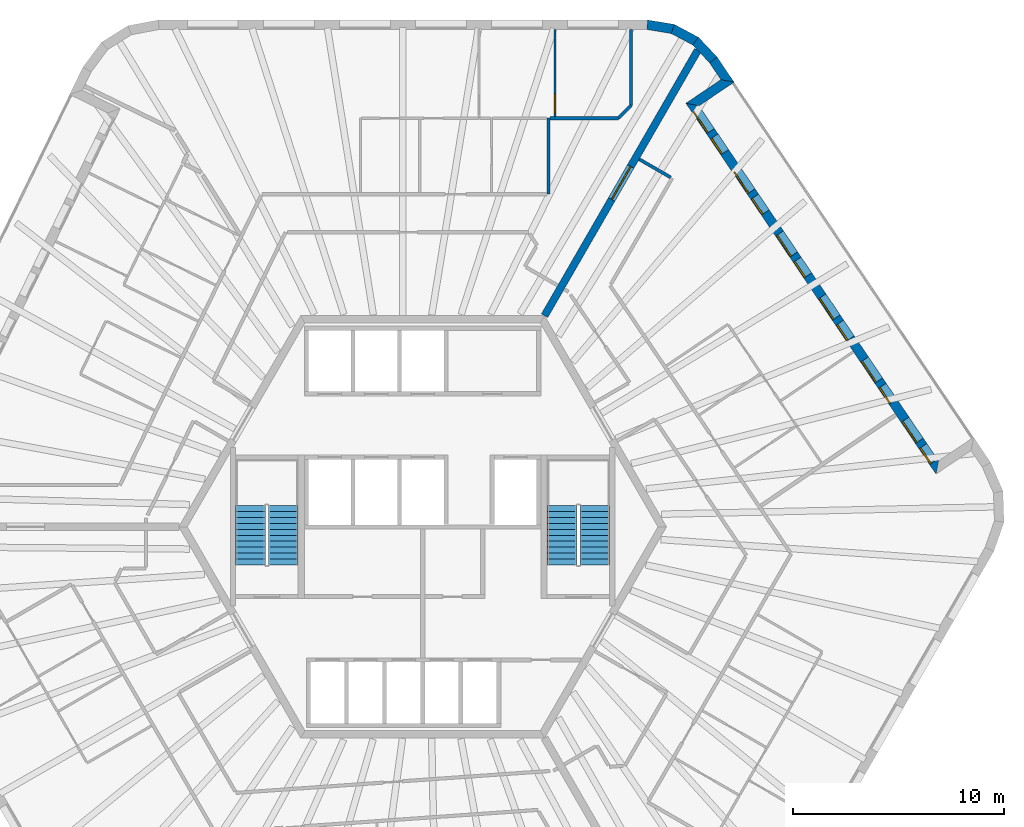
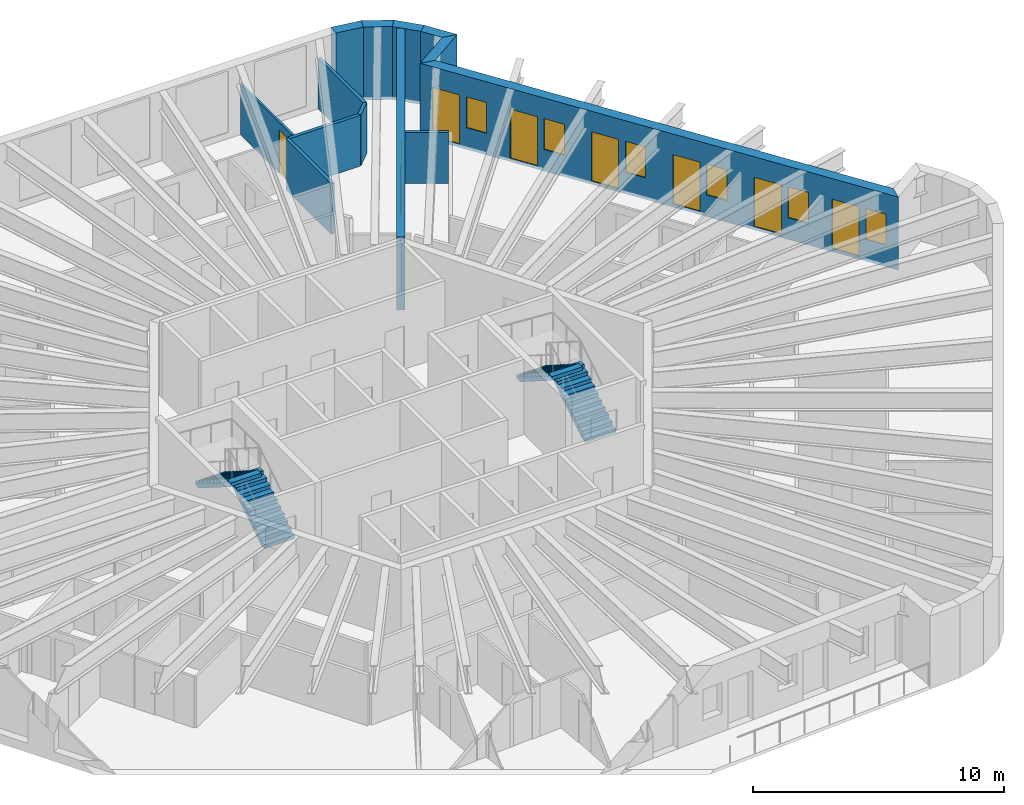
# One storey, part 10 of 11: 13 walls, 8 doors, 6 windows, 4 stair flights, 14 openings, 2 elements without a shape of their own.
"""IFC4 building model written with IfcOpenShell, lengths in metres."""

from ifc_helpers import new_model, si_unit, direction, frame, frame_2d, origin, place, context, subcontext, project, spatial, polyline, rectangle, outline, extrude, material, layer, layer_set, type_object, element, fill, aggregate, save


model = new_model("IFC4")

# Units and contexts
model_context = context("Model", 3, precision=1e-05, world=origin(), true_north=direction((0.0, 1.0)))
body_context = subcontext(model_context, "Body", "Model", "MODEL_VIEW")
ifc_project = project(units=[si_unit("LENGTHUNIT", "METRE"), si_unit("AREAUNIT", "SQUARE_METRE"), si_unit("VOLUMEUNIT", "CUBIC_METRE"), si_unit("PLANEANGLEUNIT", "RADIAN"), si_unit("MASSUNIT", "GRAM", prefix="KILO")], contexts=[model_context])

# Site, building, storey
site_placement = place(None, origin())
site = spatial("IfcSite", under=ifc_project, at=site_placement, CompositionType="ELEMENT")
building_placement = place(site_placement, origin())
building = spatial("IfcBuilding", under=site, at=building_placement, Name="Tarnside Tower", CompositionType="ELEMENT")
storey_placement = place(building_placement, frame((0.0, 0.0, 372.89990234375)))
storey = spatial("IfcBuildingStorey", under=building, at=storey_placement, Name="L90", CompositionType="ELEMENT", Elevation=372.89990234375)

# Wall, opening, door
ifc_material_1 = material(Name="Concrete C50/60", Category="concrete")
ifc_layer_1 = layer(ifc_material_1, 0.35009765625)
ifc_layer_set_1 = layer_set([ifc_layer_1], Name="Core wall Z4 350 C50/60")
wall_type_1 = type_object("IfcWallType", Name="Core wall Z4 350 C50/60", PredefinedType="SHEAR", material=ifc_layer_set_1)
wall_1_placement = place(storey_placement, frame((5.7734375, 10.0, -0.14990234375), z_axis=(0.0, 0.0, 1.0), x_axis=(0.500007911273, 0.866020836161, 0.0)))
wall_1 = element("IfcWall", 1, at=wall_1_placement, inside=storey, type_object=wall_type_1, Name="L90 spine wall 1", PredefinedType="SHEAR", context=body_context, shape_type="SweptSolid", body=[
    extrude(rectangle(XDim=14.510498046875, YDim=0.35009765625, at=frame_2d((7.25537109375, 0.0))), origin(), (0.0, 0.0, 1.0), 3.550048828125),
])
opening_1_placement = place(wall_1_placement, frame((6.355224609375, 0.0, 0.14990234375)))
opening_1 = element("IfcOpeningElement", 2, at=opening_1_placement, cuts=wall_1, Name="Opening CD-SPN", PredefinedType="OPENING", context=body_context, shape_type="SweptSolid", body=[
    extrude(rectangle(XDim=1.800048828125, YDim=2.39990234375, at=frame_2d((0.89990234375, 1.199951171875))), frame((0.0, 0.18505859375, 0.0), z_axis=(0.0, -1.0, 0.0), x_axis=(1.0, 0.0, 0.0)), (0.0, 0.0, 1.0), 0.3701171875),
])
ifc_material_2 = material(Name="Steel fire door", Category="steel")
door_type_1 = type_object("IfcDoorType", Name="Spine passage double door FD60 1800x2400", OperationType="NOTDEFINED", PredefinedType="DOOR", material=ifc_material_2)
door_1_placement = place(opening_1_placement, origin())
door_1 = element("IfcDoor", 3, at=door_1_placement, inside=storey, type_object=door_type_1, Name="L90 spine passage door 1", OperationType="DOUBLE_DOOR_SINGLE_SWING", OverallHeight=2.39990234375, OverallWidth=1.800048828125, PredefinedType="DOOR", context=body_context, shape_type="SweptSolid", body=[
    extrude(rectangle(XDim=1.800048828125, YDim=2.39990234375, at=frame_2d((0.89990234375, 1.199951171875))), frame((0.0, 0.02490234375, 0.0), z_axis=(0.0, -1.0, 0.0), x_axis=(1.0, 0.0, 0.0)), (0.0, 0.0, 1.0), 0.050048828125),
])
fill(opening_1, door_1)

# Walls
ifc_material_3 = material(Name="Gypsum board partition on steel studs", Category="steel")
ifc_layer_2 = layer(ifc_material_3, 0.14990234375)
ifc_layer_set_2 = layer_set([ifc_layer_2], Name="Corridor wall 150 EI 60")
wall_type_2 = type_object("IfcWallType", Name="Corridor wall 150 EI 60", PredefinedType="PARTITIONING", material=ifc_layer_set_2)
wall_2_placement = place(storey_placement, frame((5.9619140625, 19.35009765625, 0.0), z_axis=(0.0, 0.0, 1.0), x_axis=(0.0, -1.0, 0.0)))
element("IfcWall", 4, at=wall_2_placement, inside=storey, type_object=wall_type_2, Name="Corridor wall 29004", PredefinedType="PARTITIONING", context=body_context, shape_type="SweptSolid", body=[
    extrude(rectangle(XDim=3.60009765625, YDim=0.14990234375, at=frame_2d((1.800048828125, 0.0))), origin(), (0.0, 0.0, 1.0), 2.47021484375),
])
wall_3_placement = place(storey_placement, frame((9.268310546875, 19.35009765625, 0.0), z_axis=(0.0, 0.0, 1.0), x_axis=(-1.0, 0.0, 0.0)))
element("IfcWall", 5, at=wall_3_placement, inside=storey, type_object=wall_type_2, Name="Corridor wall 29006", PredefinedType="PARTITIONING", context=body_context, shape_type="SweptSolid", body=[
    extrude(rectangle(XDim=3.234375, YDim=0.14990234375, at=frame_2d((1.6171875, 0.0))), origin(), (0.0, 0.0, 1.0), 2.47021484375),
])
wall_4_placement = place(storey_placement, frame((9.8681640625, 19.94970703125, 0.0), z_axis=(0.0, 0.0, 1.0), x_axis=(-0.707250750801, -0.706962782254, 0.0)))
element("IfcWall", 6, at=wall_4_placement, inside=storey, type_object=wall_type_2, Name="Corridor wall 29007", PredefinedType="PARTITIONING", context=body_context, shape_type="SweptSolid", body=[
    extrude(rectangle(XDim=0.847900390625, YDim=0.14990234375, at=frame_2d((0.423828125, 0.0))), origin(), (0.0, 0.0, 1.0), 2.47021484375),
])
wall_5_placement = place(storey_placement, frame((9.868408203125, 23.550048828125, 0.0), z_axis=(0.0, 0.0, 1.0), x_axis=(0.0, -1.0, 0.0)))
element("IfcWall", 7, at=wall_5_placement, inside=storey, type_object=wall_type_2, Name="Corridor wall 29008", PredefinedType="PARTITIONING", context=body_context, shape_type="SweptSolid", body=[
    extrude(rectangle(XDim=3.599853515625, YDim=0.14990234375, at=frame_2d((1.7998046875, 0.0))), origin(), (0.0, 0.0, 1.0), 2.47021484375),
])
wall_6_placement = place(storey_placement, frame((11.74658203125, 16.545654296875, 0.0), z_axis=(0.0, 0.0, 1.0), x_axis=(-0.866013532718, 0.500020560727, 0.0)))
element("IfcWall", 8, at=wall_6_placement, inside=storey, type_object=wall_type_2, Name="Corridor wall 29064", PredefinedType="PARTITIONING", context=body_context, shape_type="SweptSolid", body=[
    extrude(rectangle(XDim=1.72509765625, YDim=0.14990234375, at=frame_2d((0.862548828125, 0.0))), origin(), (0.0, 0.0, 1.0), 2.47021484375),
])

# Wall, openings, doors, windows
ifc_material_4 = material(Name="Dark zinc cladding")
ifc_layer_3 = layer(ifc_material_4, 0.10205078125)
ifc_material_5 = material(Name="Concrete C60/75 precast", Category="concrete")
ifc_layer_4 = layer(ifc_material_5, 0.248046875)
ifc_material_6 = material(Name="Mineral wool insulation")
ifc_layer_5 = layer(ifc_material_6, 0.10009765625)
ifc_layer_set_3 = layer_set([ifc_layer_3, ifc_layer_4, ifc_layer_5], Name="Loggia wall 450 zinc faced")
wall_type_3 = type_object("IfcWallType", Name="Loggia wall 450 zinc faced", PredefinedType="SOLIDWALL", material=ifc_layer_set_3)
wall_7_placement = place(storey_placement, frame((24.36962890625, 2.810546875, -0.14990234375), z_axis=(0.0, 0.0, 1.0), x_axis=(-0.559187034749, 0.829041531027, 0.0)))
wall_7 = element("IfcWall", 9, at=wall_7_placement, inside=storey, type_object=wall_type_3, Name="Tube wall L90 F6 back 30", PredefinedType="SOLIDWALL", context=body_context, shape_type="SweptSolid", body=[
    extrude(outline(polyline([(0.224853515625, -0.22509765625), (20.50634765625, -0.22509765625), (20.95654296875, 0.22509765625), (-0.224853515625, 0.22509765625), (0.224853515625, -0.22509765625)])), origin(), (0.0, 0.0, 1.0), 3.550048828125),
])
opening_2_placement = place(wall_7_placement, frame((0.324951171875, 0.0, 1.050048828125)))
opening_2 = element("IfcOpeningElement", 10, at=opening_2_placement, cuts=wall_7, Name="Opening WL450", PredefinedType="OPENING", context=body_context, shape_type="SweptSolid", body=[
    extrude(rectangle(XDim=0.89990234375, YDim=1.5, at=frame_2d((0.449951171875, 0.75))), frame((0.0, 0.23486328125, 0.0), z_axis=(0.0, -1.0, 0.0), x_axis=(1.0, 0.0, 0.0)), (0.0, 0.0, 1.0), 0.469970703125),
])
opening_3_placement = place(wall_7_placement, frame((1.52490234375, 0.0, 0.14990234375)))
opening_3 = element("IfcOpeningElement", 11, at=opening_3_placement, cuts=wall_7, Name="Opening DB450", PredefinedType="OPENING", context=body_context, shape_type="SweptSolid", body=[
    extrude(rectangle(XDim=1.199951171875, YDim=2.39990234375, at=frame_2d((0.60009765625, 1.199951171875))), frame((0.0, 0.23486328125, 0.0), z_axis=(0.0, -1.0, 0.0), x_axis=(1.0, 0.0, 0.0)), (0.0, 0.0, 1.0), 0.469970703125),
])
opening_4_placement = place(wall_7_placement, frame((3.765869140625, 0.0, 1.050048828125)))
opening_4 = element("IfcOpeningElement", 12, at=opening_4_placement, cuts=wall_7, Name="Opening WL450", PredefinedType="OPENING", context=body_context, shape_type="SweptSolid", body=[
    extrude(rectangle(XDim=0.89990234375, YDim=1.5, at=frame_2d((0.449951171875, 0.75))), frame((0.0, 0.23486328125, 0.0), z_axis=(0.0, -1.0, 0.0), x_axis=(1.0, 0.0, 0.0)), (0.0, 0.0, 1.0), 0.469970703125),
])
opening_5_placement = place(wall_7_placement, frame((4.9658203125, 0.0, 0.14990234375)))
opening_5 = element("IfcOpeningElement", 13, at=opening_5_placement, cuts=wall_7, Name="Opening DB450", PredefinedType="OPENING", context=body_context, shape_type="SweptSolid", body=[
    extrude(rectangle(XDim=1.199951171875, YDim=2.39990234375, at=frame_2d((0.60009765625, 1.199951171875))), frame((0.0, 0.23486328125, 0.0), z_axis=(0.0, -1.0, 0.0), x_axis=(1.0, 0.0, 0.0)), (0.0, 0.0, 1.0), 0.469970703125),
])
opening_6_placement = place(wall_7_placement, frame((7.36572265625, 0.0, 1.050048828125)))
opening_6 = element("IfcOpeningElement", 14, at=opening_6_placement, cuts=wall_7, Name="Opening WL450", PredefinedType="OPENING", context=body_context, shape_type="SweptSolid", body=[
    extrude(rectangle(XDim=0.89990234375, YDim=1.5, at=frame_2d((0.449951171875, 0.75))), frame((0.0, 0.23486328125, 0.0), z_axis=(0.0, -1.0, 0.0), x_axis=(1.0, 0.0, 0.0)), (0.0, 0.0, 1.0), 0.469970703125),
])
opening_7_placement = place(wall_7_placement, frame((8.56591796875, 0.0, 0.14990234375)))
opening_7 = element("IfcOpeningElement", 15, at=opening_7_placement, cuts=wall_7, Name="Opening DB450", PredefinedType="OPENING", context=body_context, shape_type="SweptSolid", body=[
    extrude(rectangle(XDim=1.199951171875, YDim=2.39990234375, at=frame_2d((0.60009765625, 1.199951171875))), frame((0.0, 0.23486328125, 0.0), z_axis=(0.0, -1.0, 0.0), x_axis=(1.0, 0.0, 0.0)), (0.0, 0.0, 1.0), 0.469970703125),
])
opening_8_placement = place(wall_7_placement, frame((10.9658203125, 0.0, 1.050048828125)))
opening_8 = element("IfcOpeningElement", 16, at=opening_8_placement, cuts=wall_7, Name="Opening WL450", PredefinedType="OPENING", context=body_context, shape_type="SweptSolid", body=[
    extrude(rectangle(XDim=0.89990234375, YDim=1.5, at=frame_2d((0.449951171875, 0.75))), frame((0.0, 0.23486328125, 0.0), z_axis=(0.0, -1.0, 0.0), x_axis=(1.0, 0.0, 0.0)), (0.0, 0.0, 1.0), 0.469970703125),
])
opening_9_placement = place(wall_7_placement, frame((12.165771484375, 0.0, 0.14990234375)))
opening_9 = element("IfcOpeningElement", 17, at=opening_9_placement, cuts=wall_7, Name="Opening DB450", PredefinedType="OPENING", context=body_context, shape_type="SweptSolid", body=[
    extrude(rectangle(XDim=1.199951171875, YDim=2.39990234375, at=frame_2d((0.60009765625, 1.199951171875))), frame((0.0, 0.23486328125, 0.0), z_axis=(0.0, -1.0, 0.0), x_axis=(1.0, 0.0, 0.0)), (0.0, 0.0, 1.0), 0.469970703125),
])
opening_10_placement = place(wall_7_placement, frame((14.56591796875, 0.0, 1.050048828125)))
opening_10 = element("IfcOpeningElement", 18, at=opening_10_placement, cuts=wall_7, Name="Opening WL450", PredefinedType="OPENING", context=body_context, shape_type="SweptSolid", body=[
    extrude(rectangle(XDim=0.89990234375, YDim=1.5, at=frame_2d((0.449951171875, 0.75))), frame((0.0, 0.23486328125, 0.0), z_axis=(0.0, -1.0, 0.0), x_axis=(1.0, 0.0, 0.0)), (0.0, 0.0, 1.0), 0.469970703125),
])
opening_11_placement = place(wall_7_placement, frame((15.765869140625, 0.0, 0.14990234375)))
opening_11 = element("IfcOpeningElement", 19, at=opening_11_placement, cuts=wall_7, Name="Opening DB450", PredefinedType="OPENING", context=body_context, shape_type="SweptSolid", body=[
    extrude(rectangle(XDim=1.199951171875, YDim=2.39990234375, at=frame_2d((0.60009765625, 1.199951171875))), frame((0.0, 0.23486328125, 0.0), z_axis=(0.0, -1.0, 0.0), x_axis=(1.0, 0.0, 0.0)), (0.0, 0.0, 1.0), 0.469970703125),
])
opening_12_placement = place(wall_7_placement, frame((18.006591796875, 0.0, 1.050048828125)))
opening_12 = element("IfcOpeningElement", 20, at=opening_12_placement, cuts=wall_7, Name="Opening WL450", PredefinedType="OPENING", context=body_context, shape_type="SweptSolid", body=[
    extrude(rectangle(XDim=0.89990234375, YDim=1.5, at=frame_2d((0.449951171875, 0.75))), frame((0.0, 0.23486328125, 0.0), z_axis=(0.0, -1.0, 0.0), x_axis=(1.0, 0.0, 0.0)), (0.0, 0.0, 1.0), 0.469970703125),
])
opening_13_placement = place(wall_7_placement, frame((19.20654296875, 0.0, 0.14990234375)))
opening_13 = element("IfcOpeningElement", 21, at=opening_13_placement, cuts=wall_7, Name="Opening DB450", PredefinedType="OPENING", context=body_context, shape_type="SweptSolid", body=[
    extrude(rectangle(XDim=1.199951171875, YDim=2.39990234375, at=frame_2d((0.60009765625, 1.199951171875))), frame((0.0, 0.23486328125, 0.0), z_axis=(0.0, -1.0, 0.0), x_axis=(1.0, 0.0, 0.0)), (0.0, 0.0, 1.0), 0.469970703125),
])
ifc_material_7 = material(Name="Aluminium-framed double glazing", Category="aluminium")
door_type_2 = type_object("IfcDoorType", Name="Balcony sliding door 1200 x 2400 in 450 wall", OperationType="SLIDING_TO_LEFT", PredefinedType="DOOR", material=ifc_material_7)
door_2_placement = place(opening_3_placement, frame((0.0, 0.150146484375, 0.0)))
door_2 = element("IfcDoor", 22, at=door_2_placement, inside=storey, type_object=door_type_2, Name="E.BD.L90.F6.00", OperationType="SLIDING_TO_LEFT", OverallHeight=2.39990234375, OverallWidth=1.199951171875, PredefinedType="DOOR", context=body_context, shape_type="SweptSolid", body=[
    extrude(rectangle(XDim=1.199951171875, YDim=2.39990234375, at=frame_2d((0.60009765625, 1.199951171875))), frame((0.0, 0.02490234375, 0.0), z_axis=(0.0, -1.0, 0.0), x_axis=(1.0, 0.0, 0.0)), (0.0, 0.0, 1.0), 0.050048828125),
])
fill(opening_3, door_2)
door_3_placement = place(opening_5_placement, frame((0.0, 0.150146484375, 0.0)))
door_3 = element("IfcDoor", 23, at=door_3_placement, inside=storey, type_object=door_type_2, Name="E.BD.L90.F6.01", OperationType="SLIDING_TO_LEFT", OverallHeight=2.39990234375, OverallWidth=1.199951171875, PredefinedType="DOOR", context=body_context, shape_type="SweptSolid", body=[
    extrude(rectangle(XDim=1.199951171875, YDim=2.39990234375, at=frame_2d((0.60009765625, 1.199951171875))), frame((0.0, 0.02490234375, 0.0), z_axis=(0.0, -1.0, 0.0), x_axis=(1.0, 0.0, 0.0)), (0.0, 0.0, 1.0), 0.050048828125),
])
fill(opening_5, door_3)
door_4_placement = place(opening_7_placement, frame((0.0, 0.150146484375, 0.0)))
door_4 = element("IfcDoor", 24, at=door_4_placement, inside=storey, type_object=door_type_2, Name="E.BD.L90.F6.02", OperationType="SLIDING_TO_LEFT", OverallHeight=2.39990234375, OverallWidth=1.199951171875, PredefinedType="DOOR", context=body_context, shape_type="SweptSolid", body=[
    extrude(rectangle(XDim=1.199951171875, YDim=2.39990234375, at=frame_2d((0.60009765625, 1.199951171875))), frame((0.0, 0.02490234375, 0.0), z_axis=(0.0, -1.0, 0.0), x_axis=(1.0, 0.0, 0.0)), (0.0, 0.0, 1.0), 0.050048828125),
])
fill(opening_7, door_4)
door_5_placement = place(opening_9_placement, frame((0.0, 0.150146484375, 0.0)))
door_5 = element("IfcDoor", 25, at=door_5_placement, inside=storey, type_object=door_type_2, Name="E.BD.L90.F6.03", OperationType="SLIDING_TO_LEFT", OverallHeight=2.39990234375, OverallWidth=1.199951171875, PredefinedType="DOOR", context=body_context, shape_type="SweptSolid", body=[
    extrude(rectangle(XDim=1.199951171875, YDim=2.39990234375, at=frame_2d((0.60009765625, 1.199951171875))), frame((0.0, 0.02490234375, 0.0), z_axis=(0.0, -1.0, 0.0), x_axis=(1.0, 0.0, 0.0)), (0.0, 0.0, 1.0), 0.050048828125),
])
fill(opening_9, door_5)
door_6_placement = place(opening_11_placement, frame((0.0, 0.150146484375, 0.0)))
door_6 = element("IfcDoor", 26, at=door_6_placement, inside=storey, type_object=door_type_2, Name="E.BD.L90.F6.04", OperationType="SLIDING_TO_LEFT", OverallHeight=2.39990234375, OverallWidth=1.199951171875, PredefinedType="DOOR", context=body_context, shape_type="SweptSolid", body=[
    extrude(rectangle(XDim=1.199951171875, YDim=2.39990234375, at=frame_2d((0.60009765625, 1.199951171875))), frame((0.0, 0.02490234375, 0.0), z_axis=(0.0, -1.0, 0.0), x_axis=(1.0, 0.0, 0.0)), (0.0, 0.0, 1.0), 0.050048828125),
])
fill(opening_11, door_6)
door_7_placement = place(opening_13_placement, frame((0.0, 0.150146484375, 0.0)))
door_7 = element("IfcDoor", 27, at=door_7_placement, inside=storey, type_object=door_type_2, Name="E.BD.L90.F6.05", OperationType="SLIDING_TO_LEFT", OverallHeight=2.39990234375, OverallWidth=1.199951171875, PredefinedType="DOOR", context=body_context, shape_type="SweptSolid", body=[
    extrude(rectangle(XDim=1.199951171875, YDim=2.39990234375, at=frame_2d((0.60009765625, 1.199951171875))), frame((0.0, 0.02490234375, 0.0), z_axis=(0.0, -1.0, 0.0), x_axis=(1.0, 0.0, 0.0)), (0.0, 0.0, 1.0), 0.050048828125),
])
fill(opening_13, door_7)
window_type = type_object("IfcWindowType", Name="Loggia window 900 x 1500 in 450 wall", PartitioningType="SINGLE_PANEL", PredefinedType="WINDOW", material=ifc_material_7)
window_1_placement = place(opening_2_placement, frame((0.0, 0.1552734375, 0.0)))
window_1 = element("IfcWindow", 28, at=window_1_placement, inside=storey, type_object=window_type, Name="E.LW.L90.F6.00", OverallHeight=1.5, OverallWidth=0.89990234375, PartitioningType="SINGLE_PANEL", PredefinedType="WINDOW", context=body_context, shape_type="SweptSolid", body=[
    extrude(rectangle(XDim=0.89990234375, YDim=1.5, at=frame_2d((0.449951171875, 0.75))), frame((0.0, 0.030029296875, 0.0), z_axis=(0.0, -1.0, 0.0), x_axis=(1.0, 0.0, 0.0)), (0.0, 0.0, 1.0), 0.06005859375),
])
fill(opening_2, window_1)
window_2_placement = place(opening_4_placement, frame((0.0, 0.1552734375, 0.0)))
window_2 = element("IfcWindow", 29, at=window_2_placement, inside=storey, type_object=window_type, Name="E.LW.L90.F6.01", OverallHeight=1.5, OverallWidth=0.89990234375, PartitioningType="SINGLE_PANEL", PredefinedType="WINDOW", context=body_context, shape_type="SweptSolid", body=[
    extrude(rectangle(XDim=0.89990234375, YDim=1.5, at=frame_2d((0.449951171875, 0.75))), frame((0.0, 0.030029296875, 0.0), z_axis=(0.0, -1.0, 0.0), x_axis=(1.0, 0.0, 0.0)), (0.0, 0.0, 1.0), 0.06005859375),
])
fill(opening_4, window_2)
window_3_placement = place(opening_6_placement, frame((0.0, 0.1552734375, 0.0)))
window_3 = element("IfcWindow", 30, at=window_3_placement, inside=storey, type_object=window_type, Name="E.LW.L90.F6.02", OverallHeight=1.5, OverallWidth=0.89990234375, PartitioningType="SINGLE_PANEL", PredefinedType="WINDOW", context=body_context, shape_type="SweptSolid", body=[
    extrude(rectangle(XDim=0.89990234375, YDim=1.5, at=frame_2d((0.449951171875, 0.75))), frame((0.0, 0.030029296875, 0.0), z_axis=(0.0, -1.0, 0.0), x_axis=(1.0, 0.0, 0.0)), (0.0, 0.0, 1.0), 0.06005859375),
])
fill(opening_6, window_3)
window_4_placement = place(opening_8_placement, frame((0.0, 0.1552734375, 0.0)))
window_4 = element("IfcWindow", 31, at=window_4_placement, inside=storey, type_object=window_type, Name="E.LW.L90.F6.03", OverallHeight=1.5, OverallWidth=0.89990234375, PartitioningType="SINGLE_PANEL", PredefinedType="WINDOW", context=body_context, shape_type="SweptSolid", body=[
    extrude(rectangle(XDim=0.89990234375, YDim=1.5, at=frame_2d((0.449951171875, 0.75))), frame((0.0, 0.030029296875, 0.0), z_axis=(0.0, -1.0, 0.0), x_axis=(1.0, 0.0, 0.0)), (0.0, 0.0, 1.0), 0.06005859375),
])
fill(opening_8, window_4)
window_5_placement = place(opening_10_placement, frame((0.0, 0.1552734375, 0.0)))
window_5 = element("IfcWindow", 32, at=window_5_placement, inside=storey, type_object=window_type, Name="E.LW.L90.F6.04", OverallHeight=1.5, OverallWidth=0.89990234375, PartitioningType="SINGLE_PANEL", PredefinedType="WINDOW", context=body_context, shape_type="SweptSolid", body=[
    extrude(rectangle(XDim=0.89990234375, YDim=1.5, at=frame_2d((0.449951171875, 0.75))), frame((0.0, 0.030029296875, 0.0), z_axis=(0.0, -1.0, 0.0), x_axis=(1.0, 0.0, 0.0)), (0.0, 0.0, 1.0), 0.06005859375),
])
fill(opening_10, window_5)
window_6_placement = place(opening_12_placement, frame((0.0, 0.1552734375, 0.0)))
window_6 = element("IfcWindow", 33, at=window_6_placement, inside=storey, type_object=window_type, Name="E.LW.L90.F6.05", OverallHeight=1.5, OverallWidth=0.89990234375, PartitioningType="SINGLE_PANEL", PredefinedType="WINDOW", context=body_context, shape_type="SweptSolid", body=[
    extrude(rectangle(XDim=0.89990234375, YDim=1.5, at=frame_2d((0.449951171875, 0.75))), frame((0.0, 0.030029296875, 0.0), z_axis=(0.0, -1.0, 0.0), x_axis=(1.0, 0.0, 0.0)), (0.0, 0.0, 1.0), 0.06005859375),
])
fill(opening_12, window_6)

# Walls
wall_8_placement = place(storey_placement, frame((12.77685546875, 19.997802734375, -0.14990234375), z_axis=(0.0, 0.0, 1.0), x_axis=(0.829014217969, 0.559227526508, 0.0)))
element("IfcWall", 34, at=wall_8_placement, inside=storey, type_object=wall_type_3, Name="Tube wall L90 F6 return 31", PredefinedType="SOLIDWALL", context=body_context, shape_type="SweptSolid", body=[
    extrude(outline(polyline([(0.224853515625, -0.22509765625), (2.22509765625, -0.22509765625), (1.77490234375, 0.22509765625), (-0.224853515625, 0.22509765625), (0.224853515625, -0.22509765625)])), origin(), (0.0, 0.0, 1.0), 3.550048828125),
])
wall_9_placement = place(storey_placement, frame((14.434814453125, 21.1162109375, -0.14990234375), z_axis=(0.0, 0.0, 1.0), x_axis=(-0.559200218553, 0.829032638423, 0.0)))
element("IfcWall", 35, at=wall_9_placement, inside=storey, type_object=wall_type_3, Name="Tube wall L90 F6 stub 32", PredefinedType="SOLIDWALL", context=body_context, shape_type="SweptSolid", body=[
    extrude(outline(polyline([(-0.224853515625, -0.22509765625), (1.218017578125, -0.22509765625), (1.181396484375, 0.22509765625), (0.224853515625, 0.22509765625), (-0.224853515625, -0.22509765625)])), origin(), (0.0, 0.0, 1.0), 3.550048828125),
])

# Wall, opening, door
ifc_layer_6 = layer(ifc_material_3, 0.10009765625)
ifc_layer_set_4 = layer_set([ifc_layer_6], Name="Partition 100")
wall_type_4 = type_object("IfcWallType", Name="Partition 100", PredefinedType="PARTITIONING", material=ifc_layer_set_4)
wall_10_placement = place(storey_placement, frame((6.268310546875, 23.550048828125, 0.0), z_axis=(0.0, 0.0, 1.0), x_axis=(0.0, -1.0, 0.0)))
wall_10 = element("IfcWall", 36, at=wall_10_placement, inside=storey, type_object=wall_type_4, Name="Partition wall 29093", PredefinedType="PARTITIONING", context=body_context, shape_type="SweptSolid", body=[
    extrude(rectangle(XDim=4.125, YDim=0.10009765625, at=frame_2d((2.0625, 0.0))), origin(), (0.0, 0.0, 1.0), 2.47021484375),
])
opening_14_placement = place(wall_10_placement, frame((3.074951171875, 0.0, 0.0)))
opening_14 = element("IfcOpeningElement", 37, at=opening_14_placement, cuts=wall_10, Name="Opening D-I1", PredefinedType="OPENING", context=body_context, shape_type="SweptSolid", body=[
    extrude(rectangle(XDim=0.89990234375, YDim=2.10009765625, at=frame_2d((0.449951171875, 1.050048828125))), frame((0.0, 0.06005859375, 0.0), z_axis=(0.0, -1.0, 0.0), x_axis=(1.0, 0.0, 0.0)), (0.0, 0.0, 1.0), 0.1201171875),
])
ifc_material_8 = material(Name="Timber door leaf", Category="wood")
door_type_3 = type_object("IfcDoorType", Name="Internal door 900", OperationType="NOTDEFINED", PredefinedType="DOOR", material=ifc_material_8)
door_8_placement = place(opening_14_placement, origin())
door_8 = element("IfcDoor", 38, at=door_8_placement, inside=storey, type_object=door_type_3, Name="Internal door 29006", OperationType="SINGLE_SWING_RIGHT", OverallHeight=2.10009765625, OverallWidth=0.89990234375, PredefinedType="DOOR", context=body_context, shape_type="SweptSolid", body=[
    extrude(rectangle(XDim=0.89990234375, YDim=2.10009765625, at=frame_2d((0.449951171875, 1.050048828125))), frame((0.0, 0.02490234375, 0.0), z_axis=(0.0, -1.0, 0.0), x_axis=(1.0, 0.0, 0.0)), (0.0, 0.0, 1.0), 0.050048828125),
])
fill(opening_14, door_8)

# Walls
ifc_material_9 = material(Name="Facing brick", Category="masonry")
ifc_layer_7 = layer(ifc_material_9, 0.10205078125)
ifc_layer_8 = layer(ifc_material_5, 0.248046875)
ifc_layer_9 = layer(ifc_material_6, 0.10009765625)
ifc_layer_set_5 = layer_set([ifc_layer_7, ifc_layer_8, ifc_layer_9], Name="Tube wall 450 brick faced")
wall_type_5 = type_object("IfcWallType", Name="Tube wall 450 brick faced", PredefinedType="SOLIDWALL", material=ifc_layer_set_5)
wall_11_placement = place(storey_placement, frame((13.763916015625, 22.11083984375, -0.14990234375), z_axis=(0.0, 0.0, 1.0), x_axis=(-0.686272176549, 0.727344828603, 0.0)))
element("IfcWall", 39, at=wall_11_placement, inside=storey, type_object=wall_type_5, Name="Tube wall L90 F6 chord 33", PredefinedType="SOLIDWALL", context=body_context, shape_type="SweptSolid", body=[
    extrude(outline(polyline([(-0.018310546875, -0.22509765625), (1.261474609375, -0.22509765625), (1.187744140625, 0.22509765625), (0.018310546875, 0.22509765625), (-0.018310546875, -0.22509765625)])), origin(), (0.0, 0.0, 1.0), 3.550048828125),
])
wall_12_placement = place(storey_placement, frame((12.923583984375, 23.00146484375, -0.14990234375), z_axis=(0.0, 0.0, 1.0), x_axis=(-0.882898771447, 0.469563370993, 0.0)))
element("IfcWall", 40, at=wall_12_placement, inside=storey, type_object=wall_type_5, Name="Tube wall L90 F6 chord 34", PredefinedType="SOLIDWALL", context=body_context, shape_type="SweptSolid", body=[
    extrude(outline(polyline([(-0.036865234375, -0.22509765625), (1.26123046875, -0.22509765625), (1.1875, 0.22509765625), (0.036865234375, 0.22509765625), (-0.036865234375, -0.22509765625)])), origin(), (0.0, 0.0, 1.0), 3.550048828125),
])
wall_13_placement = place(storey_placement, frame((11.842529296875, 23.576416015625, -0.14990234375), z_axis=(0.0, 0.0, 1.0), x_axis=(-0.986773862881, 0.162102879475, 0.0)))
element("IfcWall", 41, at=wall_13_placement, inside=storey, type_object=wall_type_5, Name="Tube wall L90 F6 chord 35", PredefinedType="SOLIDWALL", context=body_context, shape_type="SweptSolid", body=[
    extrude(outline(polyline([(-0.036865234375, -0.22509765625), (1.24267578125, -0.22509765625), (1.2060546875, 0.22509765625), (0.036865234375, 0.22509765625), (-0.036865234375, -0.22509765625)])), origin(), (0.0, 0.0, 1.0), 3.550048828125),
])

# Stair, stair flights
ifc_material_10 = material(Name="Concrete C40/50", Category="concrete")
stair_type = type_object("IfcStairType", Name="Exit stair 1400 clear", PredefinedType="HALF_TURN_STAIR", material=ifc_material_10)
stair_1_placement = place(storey_placement, origin())
stair_1 = element("IfcStair", 42, at=stair_1_placement, inside=storey, type_object=stair_type, Name="L90 Exit stair 1", PredefinedType="HALF_TURN_STAIR")
stair_flight_type = type_object("IfcStairFlightType", Name="Exit stair flight 1400", PredefinedType="STRAIGHT", material=ifc_material_10)
stair_flight_1_placement = place(storey_placement, frame((8.14990234375, -1.800048828125, 0.0), z_axis=(0.0, 0.0, 1.0), x_axis=(0.0, 1.0, 0.0)))
stair_flight_1 = element("IfcStairFlight", 43, at=stair_flight_1_placement, type_object=stair_flight_type, Name="ST1 flight 1", NumberOfRisers=11, NumberOfTreads=10, PredefinedType="STRAIGHT", RiserHeight=0.177272727, TreadLength=0.28, context=body_context, shape_type="SweptSolid", body=[
    extrude(outline(polyline([(0.0, 0.0), (0.0, 0.17724609375), (0.280029296875, 0.17724609375), (0.280029296875, 0.3544921875), (0.56005859375, 0.3544921875), (0.56005859375, 0.53173828125), (0.840087890625, 0.53173828125), (0.840087890625, 0.708984375), (1.1201171875, 0.708984375), (1.1201171875, 0.886474609375), (1.39990234375, 0.886474609375), (1.39990234375, 1.063720703125), (1.679931640625, 1.063720703125), (1.679931640625, 1.240966796875), (1.9599609375, 1.240966796875), (1.9599609375, 1.418212890625), (2.239990234375, 1.418212890625), (2.239990234375, 1.595458984375), (2.52001953125, 1.595458984375), (2.52001953125, 1.772705078125), (2.800048828125, 1.772705078125), (2.800048828125, 1.949951171875), (2.800048828125, 1.59521484375), (0.2802734375, 0.0), (0.0, 0.0)])), frame((0.0, 0.699951171875, 0.0), z_axis=(0.0, -1.0, 0.0), x_axis=(1.0, 0.0, 0.0)), (0.0, 0.0, 1.0), 1.39990234375),
])
stair_flight_2_placement = place(storey_placement, frame((6.60009765625, 1.0, 1.9501953125), z_axis=(0.0, 0.0, 1.0), x_axis=(0.0, -1.0, 0.0)))
stair_flight_2 = element("IfcStairFlight", 44, at=stair_flight_2_placement, type_object=stair_flight_type, Name="ST1 flight 2", NumberOfRisers=11, NumberOfTreads=10, PredefinedType="STRAIGHT", RiserHeight=0.177272727, TreadLength=0.28, context=body_context, shape_type="SweptSolid", body=[
    extrude(outline(polyline([(0.0, 0.0), (0.0, 0.17724609375), (0.280029296875, 0.17724609375), (0.280029296875, 0.3544921875), (0.56005859375, 0.3544921875), (0.56005859375, 0.53173828125), (0.840087890625, 0.53173828125), (0.840087890625, 0.708984375), (1.1201171875, 0.708984375), (1.1201171875, 0.886474609375), (1.39990234375, 0.886474609375), (1.39990234375, 1.063720703125), (1.679931640625, 1.063720703125), (1.679931640625, 1.240966796875), (1.9599609375, 1.240966796875), (1.9599609375, 1.418212890625), (2.239990234375, 1.418212890625), (2.239990234375, 1.595458984375), (2.52001953125, 1.595458984375), (2.52001953125, 1.772705078125), (2.800048828125, 1.772705078125), (2.800048828125, 1.949951171875), (2.800048828125, 1.59521484375), (0.2802734375, 0.0), (0.0, 0.0)])), frame((0.0, 0.699951171875, 0.0), z_axis=(0.0, -1.0, 0.0), x_axis=(1.0, 0.0, 0.0)), (0.0, 0.0, 1.0), 1.39990234375),
])
aggregate(stair_1, [stair_flight_1, stair_flight_2])

stair_2_placement = place(storey_placement, origin())
stair_2 = element("IfcStair", 45, at=stair_2_placement, inside=storey, type_object=stair_type, Name="L90 Exit stair 2", PredefinedType="HALF_TURN_STAIR")
stair_flight_3_placement = place(storey_placement, frame((-6.60009765625, -1.800048828125, 0.0), z_axis=(0.0, 0.0, 1.0), x_axis=(0.0, 1.0, 0.0)))
stair_flight_3 = element("IfcStairFlight", 46, at=stair_flight_3_placement, type_object=stair_flight_type, Name="ST2 flight 1", NumberOfRisers=11, NumberOfTreads=10, PredefinedType="STRAIGHT", RiserHeight=0.177272727, TreadLength=0.28, context=body_context, shape_type="SweptSolid", body=[
    extrude(outline(polyline([(0.0, 0.0), (0.0, 0.17724609375), (0.280029296875, 0.17724609375), (0.280029296875, 0.3544921875), (0.56005859375, 0.3544921875), (0.56005859375, 0.53173828125), (0.840087890625, 0.53173828125), (0.840087890625, 0.708984375), (1.1201171875, 0.708984375), (1.1201171875, 0.886474609375), (1.39990234375, 0.886474609375), (1.39990234375, 1.063720703125), (1.679931640625, 1.063720703125), (1.679931640625, 1.240966796875), (1.9599609375, 1.240966796875), (1.9599609375, 1.418212890625), (2.239990234375, 1.418212890625), (2.239990234375, 1.595458984375), (2.52001953125, 1.595458984375), (2.52001953125, 1.772705078125), (2.800048828125, 1.772705078125), (2.800048828125, 1.949951171875), (2.800048828125, 1.59521484375), (0.2802734375, 0.0), (0.0, 0.0)])), frame((0.0, 0.699951171875, 0.0), z_axis=(0.0, -1.0, 0.0), x_axis=(1.0, 0.0, 0.0)), (0.0, 0.0, 1.0), 1.39990234375),
])
stair_flight_4_placement = place(storey_placement, frame((-8.14990234375, 1.0, 1.9501953125), z_axis=(0.0, 0.0, 1.0), x_axis=(0.0, -1.0, 0.0)))
stair_flight_4 = element("IfcStairFlight", 47, at=stair_flight_4_placement, type_object=stair_flight_type, Name="ST2 flight 2", NumberOfRisers=11, NumberOfTreads=10, PredefinedType="STRAIGHT", RiserHeight=0.177272727, TreadLength=0.28, context=body_context, shape_type="SweptSolid", body=[
    extrude(outline(polyline([(0.0, 0.0), (0.0, 0.17724609375), (0.280029296875, 0.17724609375), (0.280029296875, 0.3544921875), (0.56005859375, 0.3544921875), (0.56005859375, 0.53173828125), (0.840087890625, 0.53173828125), (0.840087890625, 0.708984375), (1.1201171875, 0.708984375), (1.1201171875, 0.886474609375), (1.39990234375, 0.886474609375), (1.39990234375, 1.063720703125), (1.679931640625, 1.063720703125), (1.679931640625, 1.240966796875), (1.9599609375, 1.240966796875), (1.9599609375, 1.418212890625), (2.239990234375, 1.418212890625), (2.239990234375, 1.595458984375), (2.52001953125, 1.595458984375), (2.52001953125, 1.772705078125), (2.800048828125, 1.772705078125), (2.800048828125, 1.949951171875), (2.800048828125, 1.59521484375), (0.2802734375, 0.0), (0.0, 0.0)])), frame((0.0, 0.699951171875, 0.0), z_axis=(0.0, -1.0, 0.0), x_axis=(1.0, 0.0, 0.0)), (0.0, 0.0, 1.0), 1.39990234375),
])
aggregate(stair_2, [stair_flight_3, stair_flight_4])

save(model, "model.ifc")
